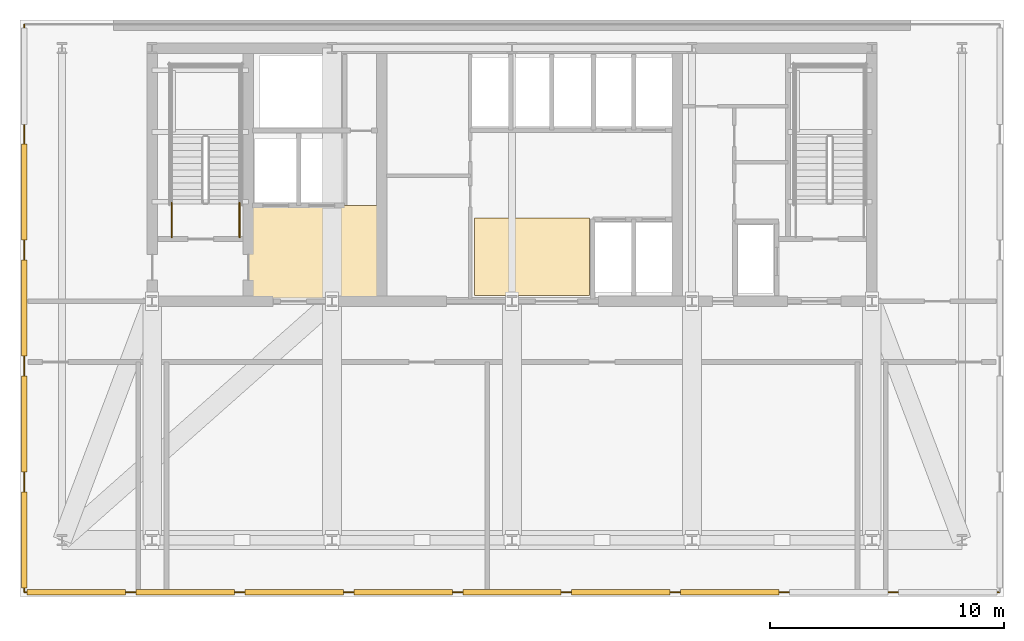
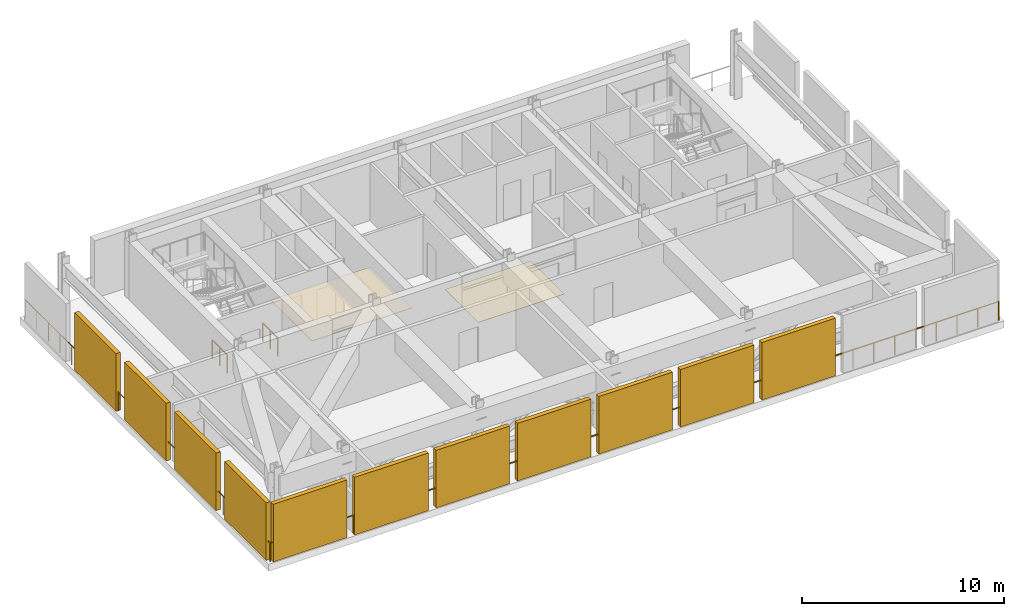
# One storey, part 4 of 7: 11 shading devices, 4 railings, 2 coverings.
"""IFC4 building model written with IfcOpenShell, lengths in metres."""

from ifc_helpers import new_model, si_unit, direction, frame, origin, origin_2d, place, context, subcontext, project, spatial, polyline, rectangle, circle, outline, extrude, material, layer, layer_set, type_object, element, save


model = new_model("IFC4")

# Units and contexts
model_context = context("Model", 3, precision=1e-05, world=origin(), true_north=direction((0.0, 1.0)))
body_context = subcontext(model_context, "Body", "Model", "MODEL_VIEW")
ifc_project = project(units=[si_unit("LENGTHUNIT", "METRE"), si_unit("AREAUNIT", "SQUARE_METRE"), si_unit("VOLUMEUNIT", "CUBIC_METRE"), si_unit("PLANEANGLEUNIT", "RADIAN"), si_unit("MASSUNIT", "GRAM", prefix="KILO")], contexts=[model_context])

# Site, building, storey
site_placement = place(None, origin())
site = spatial("IfcSite", under=ifc_project, at=site_placement, CompositionType="ELEMENT")
building_placement = place(site_placement, origin())
building = spatial("IfcBuilding", under=site, at=building_placement, Name="Yelkora Congress Tower", CompositionType="ELEMENT")
storey_placement = place(building_placement, frame((0.0, 0.0, 145.10009765625)))
storey = spatial("IfcBuildingStorey", under=building, at=storey_placement, Name="L39", CompositionType="ELEMENT", Elevation=145.10009765625)

# Coverings
ifc_material_1 = material(Name="Perforated mineral-fibre acoustic ceiling", Category="gypsum")
ifc_layer_1 = layer(ifc_material_1, 0.0400390625)
ifc_layer_set_1 = layer_set([ifc_layer_1], Name="Perforated mineral-fibre acoustic ceiling")
covering_type_1 = type_object("IfcCoveringType", Name="COV-CEIL-ACOUSTIC-40", PredefinedType="CEILING", material=ifc_layer_set_1)
covering_1_placement = place(storey_placement, frame((0.0, 0.0, 2.39990234375)))
element("IfcCovering", 1, at=covering_1_placement, inside=storey, type_object=covering_type_1, Name="L39 Firefighting Lobby Acoustic Ceiling", PredefinedType="CEILING", context=body_context, shape_type="SweptSolid", body=[
    extrude(outline(polyline([(27.14990234375, 35.39990234375), (32.85009765625, 35.39990234375), (32.85009765625, 39.47998046875), (27.14990234375, 39.47998046875), (27.14990234375, 35.39990234375)])), origin(), (0.0, 0.0, 1.0), 0.0400390625),
])
ifc_material_2 = material(Name="Polished Anatolian grey granite tile", Category="masonry")
ifc_layer_2 = layer(ifc_material_2, 0.02001953125)
ifc_layer_set_2 = layer_set([ifc_layer_2], Name="Polished Anatolian grey granite tile")
covering_type_2 = type_object("IfcCoveringType", Name="COV-FLOOR-GRANITE-20", PredefinedType="FLOORING", material=ifc_layer_set_2)
covering_2_placement = place(storey_placement, origin())
element("IfcCovering", 2, at=covering_2_placement, inside=storey, type_object=covering_type_2, Name="L39 Lift Lobby Granite Flooring", PredefinedType="FLOORING", context=body_context, shape_type="SweptSolid", body=[
    extrude(outline(polyline([(36.800048828125, 35.64990234375), (41.699951171875, 35.64990234375), (41.699951171875, 38.949951171875), (36.800048828125, 38.949951171875), (36.800048828125, 35.64990234375)])), origin(), (0.0, 0.0, 1.0), 0.02001953125),
])

# Railings
ifc_material_3 = material(Name="Stainless steel 316L and laminated glass infill", Category="steel")
ifc_layer_3 = layer(ifc_material_3, 0.080078125)
ifc_layer_set_3 = layer_set([ifc_layer_3], Name="Stainless steel 316L and laminated glass infill")
railing_type_1 = type_object("IfcRailingType", Name="RAIL-EXT-GUARD-1150", PredefinedType="GUARDRAIL", material=ifc_layer_set_3)
railing_1_placement = place(storey_placement, frame((17.580078125, 23.0, 0.0)))
element("IfcRailing", 3, at=railing_1_placement, inside=storey, type_object=railing_type_1, Name="L39 Wind-Floor Perimeter Guardrail W", PredefinedType="GUARDRAIL", context=body_context, shape_type="SweptSolid", body=[
    extrude(circle(Radius=0.02392578125, at=origin_2d()), frame((0.0, 0.0, 1.1259765625), z_axis=(0.0, 1.0, 0.0), x_axis=(-1.0, 0.0, 0.0)), (0.0, 0.0, 1.0), 24.199951171875),
    extrude(circle(Radius=0.02099609375, at=origin_2d()), origin(), (0.0, 0.0, 1.0), 1.101806640625),
    extrude(circle(Radius=0.02099609375, at=origin_2d()), frame((0.0, 1.15234375, 0.0)), (0.0, 0.0, 1.0), 1.101806640625),
    extrude(circle(Radius=0.02099609375, at=origin_2d()), frame((0.0, 2.3046875, 0.0)), (0.0, 0.0, 1.0), 1.101806640625),
    extrude(circle(Radius=0.02099609375, at=origin_2d()), frame((0.0, 3.45703125, 0.0)), (0.0, 0.0, 1.0), 1.101806640625),
    extrude(circle(Radius=0.02099609375, at=origin_2d()), frame((0.0, 4.609619140625, 0.0)), (0.0, 0.0, 1.0), 1.101806640625),
    extrude(circle(Radius=0.02099609375, at=origin_2d()), frame((0.0, 5.761962890625, 0.0)), (0.0, 0.0, 1.0), 1.101806640625),
    extrude(circle(Radius=0.02099609375, at=origin_2d()), frame((0.0, 6.914306640625, 0.0)), (0.0, 0.0, 1.0), 1.101806640625),
    extrude(circle(Radius=0.02099609375, at=origin_2d()), frame((0.0, 8.066650390625, 0.0)), (0.0, 0.0, 1.0), 1.101806640625),
    extrude(circle(Radius=0.02099609375, at=origin_2d()), frame((0.0, 9.218994140625, 0.0)), (0.0, 0.0, 1.0), 1.101806640625),
    extrude(circle(Radius=0.02099609375, at=origin_2d()), frame((0.0, 10.371337890625, 0.0)), (0.0, 0.0, 1.0), 1.101806640625),
    extrude(circle(Radius=0.02099609375, at=origin_2d()), frame((0.0, 11.523681640625, 0.0)), (0.0, 0.0, 1.0), 1.101806640625),
    extrude(circle(Radius=0.02099609375, at=origin_2d()), frame((0.0, 12.67626953125, 0.0)), (0.0, 0.0, 1.0), 1.101806640625),
    extrude(circle(Radius=0.02099609375, at=origin_2d()), frame((0.0, 13.82861328125, 0.0)), (0.0, 0.0, 1.0), 1.101806640625),
    extrude(circle(Radius=0.02099609375, at=origin_2d()), frame((0.0, 14.98095703125, 0.0)), (0.0, 0.0, 1.0), 1.101806640625),
    extrude(circle(Radius=0.02099609375, at=origin_2d()), frame((0.0, 16.13330078125, 0.0)), (0.0, 0.0, 1.0), 1.101806640625),
    extrude(circle(Radius=0.02099609375, at=origin_2d()), frame((0.0, 17.28564453125, 0.0)), (0.0, 0.0, 1.0), 1.101806640625),
    extrude(circle(Radius=0.02099609375, at=origin_2d()), frame((0.0, 18.43798828125, 0.0)), (0.0, 0.0, 1.0), 1.101806640625),
    extrude(circle(Radius=0.02099609375, at=origin_2d()), frame((0.0, 19.59033203125, 0.0)), (0.0, 0.0, 1.0), 1.101806640625),
    extrude(circle(Radius=0.02099609375, at=origin_2d()), frame((0.0, 20.742919921875, 0.0)), (0.0, 0.0, 1.0), 1.101806640625),
    extrude(circle(Radius=0.02099609375, at=origin_2d()), frame((0.0, 21.895263671875, 0.0)), (0.0, 0.0, 1.0), 1.101806640625),
    extrude(circle(Radius=0.02099609375, at=origin_2d()), frame((0.0, 23.047607421875, 0.0)), (0.0, 0.0, 1.0), 1.101806640625),
    extrude(circle(Radius=0.02099609375, at=origin_2d()), frame((0.0, 24.199951171875, 0.0)), (0.0, 0.0, 1.0), 1.101806640625),
])
railing_2_placement = place(storey_placement, frame((17.60009765625, 22.97998046875, 0.0)))
element("IfcRailing", 4, at=railing_2_placement, inside=storey, type_object=railing_type_1, Name="L39 Wind-Floor South Guardrail", PredefinedType="GUARDRAIL", context=body_context, shape_type="SweptSolid", body=[
    extrude(circle(Radius=0.02392578125, at=origin_2d()), frame((0.0, 0.0, 1.1259765625), z_axis=(1.0, 0.0, 0.0), x_axis=(0.0, 1.0, 0.0)), (0.0, 0.0, 1.0), 41.599853515625),
    extrude(circle(Radius=0.02099609375, at=origin_2d()), origin(), (0.0, 0.0, 1.0), 1.101806640625),
    extrude(circle(Radius=0.02099609375, at=origin_2d()), frame((1.1884765625, 0.0, 0.0)), (0.0, 0.0, 1.0), 1.101806640625),
    extrude(circle(Radius=0.02099609375, at=origin_2d()), frame((2.377197265625, 0.0, 0.0)), (0.0, 0.0, 1.0), 1.101806640625),
    extrude(circle(Radius=0.02099609375, at=origin_2d()), frame((3.565673828125, 0.0, 0.0)), (0.0, 0.0, 1.0), 1.101806640625),
    extrude(circle(Radius=0.02099609375, at=origin_2d()), frame((4.754150390625, 0.0, 0.0)), (0.0, 0.0, 1.0), 1.101806640625),
    extrude(circle(Radius=0.02099609375, at=origin_2d()), frame((5.94287109375, 0.0, 0.0)), (0.0, 0.0, 1.0), 1.101806640625),
    extrude(circle(Radius=0.02099609375, at=origin_2d()), frame((7.13134765625, 0.0, 0.0)), (0.0, 0.0, 1.0), 1.101806640625),
    extrude(circle(Radius=0.02099609375, at=origin_2d()), frame((8.320068359375, 0.0, 0.0)), (0.0, 0.0, 1.0), 1.101806640625),
    extrude(circle(Radius=0.02099609375, at=origin_2d()), frame((9.508544921875, 0.0, 0.0)), (0.0, 0.0, 1.0), 1.101806640625),
    extrude(circle(Radius=0.02099609375, at=origin_2d()), frame((10.697021484375, 0.0, 0.0)), (0.0, 0.0, 1.0), 1.101806640625),
    extrude(circle(Radius=0.02099609375, at=origin_2d()), frame((11.8857421875, 0.0, 0.0)), (0.0, 0.0, 1.0), 1.101806640625),
    extrude(circle(Radius=0.02099609375, at=origin_2d()), frame((13.07421875, 0.0, 0.0)), (0.0, 0.0, 1.0), 1.101806640625),
    extrude(circle(Radius=0.02099609375, at=origin_2d()), frame((14.2626953125, 0.0, 0.0)), (0.0, 0.0, 1.0), 1.101806640625),
    extrude(circle(Radius=0.02099609375, at=origin_2d()), frame((15.451416015625, 0.0, 0.0)), (0.0, 0.0, 1.0), 1.101806640625),
    extrude(circle(Radius=0.02099609375, at=origin_2d()), frame((16.639892578125, 0.0, 0.0)), (0.0, 0.0, 1.0), 1.101806640625),
    extrude(circle(Radius=0.02099609375, at=origin_2d()), frame((17.82861328125, 0.0, 0.0)), (0.0, 0.0, 1.0), 1.101806640625),
    extrude(circle(Radius=0.02099609375, at=origin_2d()), frame((19.01708984375, 0.0, 0.0)), (0.0, 0.0, 1.0), 1.101806640625),
    extrude(circle(Radius=0.02099609375, at=origin_2d()), frame((20.20556640625, 0.0, 0.0)), (0.0, 0.0, 1.0), 1.101806640625),
    extrude(circle(Radius=0.02099609375, at=origin_2d()), frame((21.394287109375, 0.0, 0.0)), (0.0, 0.0, 1.0), 1.101806640625),
    extrude(circle(Radius=0.02099609375, at=origin_2d()), frame((22.582763671875, 0.0, 0.0)), (0.0, 0.0, 1.0), 1.101806640625),
    extrude(circle(Radius=0.02099609375, at=origin_2d()), frame((23.771240234375, 0.0, 0.0)), (0.0, 0.0, 1.0), 1.101806640625),
    extrude(circle(Radius=0.02099609375, at=origin_2d()), frame((24.9599609375, 0.0, 0.0)), (0.0, 0.0, 1.0), 1.101806640625),
    extrude(circle(Radius=0.02099609375, at=origin_2d()), frame((26.1484375, 0.0, 0.0)), (0.0, 0.0, 1.0), 1.101806640625),
    extrude(circle(Radius=0.02099609375, at=origin_2d()), frame((27.337158203125, 0.0, 0.0)), (0.0, 0.0, 1.0), 1.101806640625),
    extrude(circle(Radius=0.02099609375, at=origin_2d()), frame((28.525634765625, 0.0, 0.0)), (0.0, 0.0, 1.0), 1.101806640625),
    extrude(circle(Radius=0.02099609375, at=origin_2d()), frame((29.714111328125, 0.0, 0.0)), (0.0, 0.0, 1.0), 1.101806640625),
    extrude(circle(Radius=0.02099609375, at=origin_2d()), frame((30.90283203125, 0.0, 0.0)), (0.0, 0.0, 1.0), 1.101806640625),
    extrude(circle(Radius=0.02099609375, at=origin_2d()), frame((32.09130859375, 0.0, 0.0)), (0.0, 0.0, 1.0), 1.101806640625),
    extrude(circle(Radius=0.02099609375, at=origin_2d()), frame((33.27978515625, 0.0, 0.0)), (0.0, 0.0, 1.0), 1.101806640625),
    extrude(circle(Radius=0.02099609375, at=origin_2d()), frame((34.468505859375, 0.0, 0.0)), (0.0, 0.0, 1.0), 1.101806640625),
    extrude(circle(Radius=0.02099609375, at=origin_2d()), frame((35.656982421875, 0.0, 0.0)), (0.0, 0.0, 1.0), 1.101806640625),
    extrude(circle(Radius=0.02099609375, at=origin_2d()), frame((36.845703125, 0.0, 0.0)), (0.0, 0.0, 1.0), 1.101806640625),
    extrude(circle(Radius=0.02099609375, at=origin_2d()), frame((38.0341796875, 0.0, 0.0)), (0.0, 0.0, 1.0), 1.101806640625),
    extrude(circle(Radius=0.02099609375, at=origin_2d()), frame((39.22265625, 0.0, 0.0)), (0.0, 0.0, 1.0), 1.101806640625),
    extrude(circle(Radius=0.02099609375, at=origin_2d()), frame((40.411376953125, 0.0, 0.0)), (0.0, 0.0, 1.0), 1.101806640625),
    extrude(circle(Radius=0.02099609375, at=origin_2d()), frame((41.599853515625, 0.0, 0.0)), (0.0, 0.0, 1.0), 1.101806640625),
])
ifc_material_4 = material(Name="Painted galvanised steel stair well guard with vertical infill", Category="steel")
ifc_layer_4 = layer(ifc_material_4, 0.06005859375)
ifc_layer_set_4 = layer_set([ifc_layer_4], Name="Painted galvanised steel stair well guard with vertical infill")
railing_type_2 = type_object("IfcRailingType", Name="RAIL-STAIR-GUARD-1120", PredefinedType="GUARDRAIL", material=ifc_layer_set_4)
for number, where, name in (
    (5, (26.77001953125, 38.1201171875, 0.0), "ST-01 L39 Stair Well Guardrail 8"),
    (6, (23.8701171875, 38.1201171875, 0.0), "ST-01 L39 Stair Well Guardrail 9"),
):
    element("IfcRailing", number, at=place(storey_placement, frame(where)), inside=storey, type_object=railing_type_2, Name=name, PredefinedType="GUARDRAIL", context=body_context, shape_type="SweptSolid", body=[
        extrude(circle(Radius=0.02392578125, at=origin_2d()), frame((0.0, 0.0, 1.09619140625), z_axis=(0.0, 1.0, 0.0), x_axis=(-1.0, 0.0, 0.0)), (0.0, 0.0, 1.0), 1.47998046875),
        extrude(circle(Radius=0.02099609375, at=origin_2d()), origin(), (0.0, 0.0, 1.0), 1.072021484375),
        extrude(circle(Radius=0.02099609375, at=origin_2d()), frame((0.0, 0.739990234375, 0.0)), (0.0, 0.0, 1.0), 1.072021484375),
        extrude(circle(Radius=0.02099609375, at=origin_2d()), frame((0.0, 1.47998046875, 0.0)), (0.0, 0.0, 1.0), 1.072021484375),
    ])

# Shading devices
ifc_material_5 = material(Name="Perforated anodised aluminium louvre", Category="aluminium")
ifc_layer_5 = layer(ifc_material_5, 3.39990234375)
ifc_layer_set_5 = layer_set([ifc_layer_5], Name="Perforated anodised aluminium louvre")
shading_device_type = type_object("IfcShadingDeviceType", Name="SHD-LOUVRE-WIND", PredefinedType="JALOUSIE", material=ifc_layer_set_5)
for number, where, z_axis, x_axis, name in (
    (7, (17.580078125, 25.199951171875, 0.0), (0.0, 0.0, 1.0), (1.0, 0.0, 0.0), "L39 Acoustic Wind-Floor Louvre Screen W1"),
    (8, (17.580078125, 30.14990234375, 0.0), (0.0, 0.0, 1.0), (1.0, 0.0, 0.0), "L39 Acoustic Wind-Floor Louvre Screen W2"),
    (9, (17.580078125, 35.10009765625, 0.0), (0.0, 0.0, 1.0), (1.0, 0.0, 0.0), "L39 Acoustic Wind-Floor Louvre Screen W3"),
    (10, (17.580078125, 40.050048828125, 0.0), (0.0, 0.0, 1.0), (1.0, 0.0, 0.0), "L39 Acoustic Wind-Floor Louvre Screen W4"),
):
    element("IfcShadingDevice", number, at=place(storey_placement, frame(where, z_axis=z_axis, x_axis=x_axis)), inside=storey, type_object=shading_device_type, Name=name, PredefinedType="JALOUSIE", context=body_context, shape_type="SweptSolid", body=[
        extrude(rectangle(XDim=0.239990234375, YDim=4.10009765625, at=origin_2d()), origin(), (0.0, 0.0, 1.0), 3.47998046875),
    ])
for number, where, z_axis, x_axis, name in (
    (11, (19.800048828125, 22.97998046875, 0.0), (0.0, 0.0, 1.0), (1.0, 0.0, 0.0), "L39 South Blow-Through Wind Louvre 1"),
    (12, (24.449951171875, 22.97998046875, 0.0), (0.0, 0.0, 1.0), (1.0, 0.0, 0.0), "L39 South Blow-Through Wind Louvre 2"),
    (13, (29.10009765625, 22.97998046875, 0.0), (0.0, 0.0, 1.0), (1.0, 0.0, 0.0), "L39 South Blow-Through Wind Louvre 3"),
    (14, (33.75, 22.97998046875, 0.0), (0.0, 0.0, 1.0), (1.0, 0.0, 0.0), "L39 South Blow-Through Wind Louvre 4"),
    (15, (38.39990234375, 22.97998046875, 0.0), (0.0, 0.0, 1.0), (1.0, 0.0, 0.0), "L39 South Blow-Through Wind Louvre 5"),
    (16, (43.050048828125, 22.97998046875, 0.0), (0.0, 0.0, 1.0), (1.0, 0.0, 0.0), "L39 South Blow-Through Wind Louvre 6"),
    (17, (47.699951171875, 22.97998046875, 0.0), (0.0, 0.0, 1.0), (1.0, 0.0, 0.0), "L39 South Blow-Through Wind Louvre 7"),
):
    element("IfcShadingDevice", number, at=place(storey_placement, frame(where, z_axis=z_axis, x_axis=x_axis)), inside=storey, type_object=shading_device_type, Name=name, PredefinedType="JALOUSIE", context=body_context, shape_type="SweptSolid", body=[
        extrude(rectangle(XDim=4.199951171875, YDim=0.239990234375, at=origin_2d()), origin(), (0.0, 0.0, 1.0), 3.47998046875),
    ])

save(model, "model.ifc")
